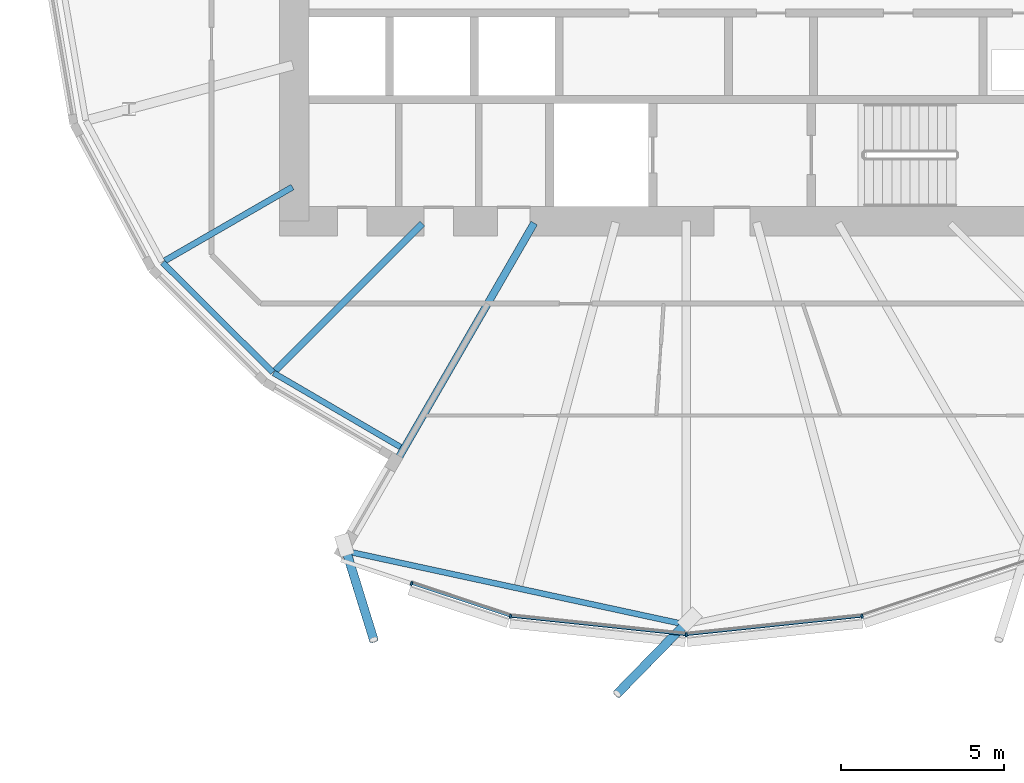
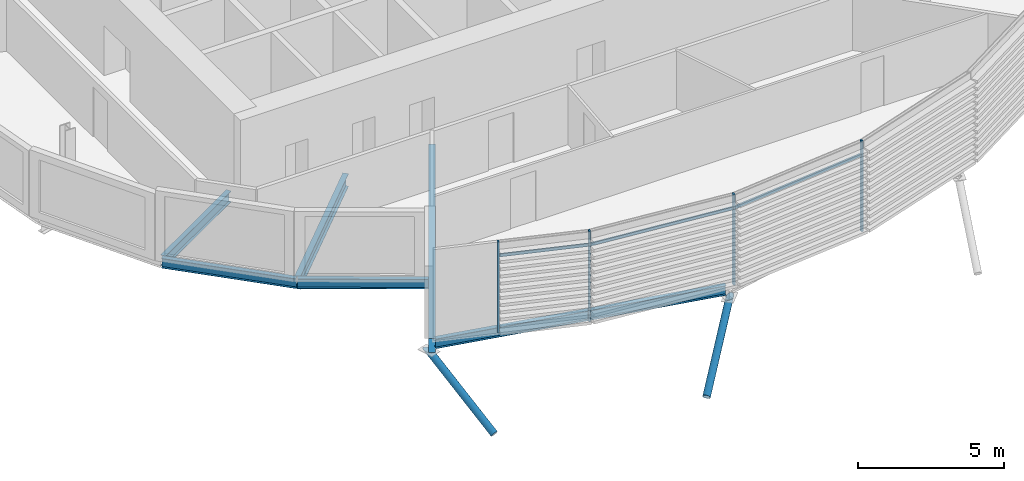
# One storey, part 3 of 37: 9 members, 6 beams, 1 element without a shape of its own.
"""IFC4 building model written with IfcOpenShell, lengths in metres."""

from ifc_helpers import new_model, si_unit, direction, frame, origin, origin_2d, place, context, subcontext, project, spatial, rectangle, hollow_circle, i_section, extrude, clip, halfspace, material, material_profile, profile_set, type_object, element, aggregate, save


model = new_model("IFC4")

# Units and contexts
model_context = context("Model", 3, precision=1e-05, world=origin(), true_north=direction((0.0, 1.0)))
body_context = subcontext(model_context, "Body", "Model", "MODEL_VIEW")
ifc_project = project(units=[si_unit("LENGTHUNIT", "METRE"), si_unit("AREAUNIT", "SQUARE_METRE"), si_unit("VOLUMEUNIT", "CUBIC_METRE"), si_unit("PLANEANGLEUNIT", "RADIAN"), si_unit("MASSUNIT", "GRAM", prefix="KILO")], contexts=[model_context])

# Site, building, storey
site_placement = place(None, origin())
site = spatial("IfcSite", under=ifc_project, at=site_placement, CompositionType="ELEMENT")
building_placement = place(site_placement, origin())
building = spatial("IfcBuilding", under=site, at=building_placement, Name="Rimbun Link Towers", CompositionType="ELEMENT")
storey_placement = place(building_placement, frame((0.0, 0.0, 60.39990234375)))
storey = spatial("IfcBuildingStorey", under=building, at=storey_placement, Name="L14", CompositionType="ELEMENT", Elevation=60.39990234375)

# Curtain wall, members
ifc_material_1 = material(Name="Aluminium 6063-T6 and low-iron glass", Category="aluminium")
curtain_wall_type = type_object("IfcCurtainWallType", Name="CW1 unitised vision wall", PredefinedType="NOTDEFINED", material=ifc_material_1)
curtain_wall_placement = place(storey_placement, origin())
curtain_wall = element("IfcCurtainWall", 1, at=curtain_wall_placement, inside=storey, type_object=curtain_wall_type, Name="CW1 L14 T1", PredefinedType="NOTDEFINED")
ifc_material_2 = material(Name="Aluminium 6063-T6", Category="aluminium")
ifc_material_profile_1 = material_profile(ifc_material_2, rectangle(XDim=0.1201171875, YDim=0.06005859375, at=origin_2d()), Name="MULLION 60X120")
ifc_profile_set_1 = profile_set([ifc_material_profile_1], Name="Aluminium 6063-T6")
member_type_1 = type_object("IfcMemberType", Name="CW1 mullion 60X120", PredefinedType="MULLION", material=ifc_profile_set_1)
member_1_placement = place(storey_placement, frame((-37.130615234375, -20.09228515625, 0.0), z_axis=(0.0, 0.0, 1.0), x_axis=(-0.210873842747, -0.977513285048, 0.0)))
member_1 = element("IfcMember", 2, at=member_1_placement, type_object=member_type_1, Name="CW1 mullion", PredefinedType="MULLION", context=body_context, shape_type="SweptSolid", body=[
    extrude(rectangle(XDim=0.1201171875, YDim=0.06005859375, at=origin_2d()), origin(), (0.0, 0.0, 1.0), 3.800048828125),
])
member_2_placement = place(storey_placement, frame((-40.15673828125, -19.08984375, 0.0), z_axis=(0.0, 0.0, 1.0), x_axis=(-0.314563424855, -0.949236457235, 0.0)))
member_2 = element("IfcMember", 3, at=member_2_placement, type_object=member_type_1, Name="CW1 mullion", PredefinedType="MULLION", context=body_context, shape_type="SweptSolid", body=[
    extrude(rectangle(XDim=0.1201171875, YDim=0.06005859375, at=origin_2d()), origin(), (0.0, 0.0, 1.0), 3.800048828125),
])
member_3_placement = place(storey_placement, frame((-31.75, -20.6591796875, 0.0), z_axis=(0.0, 0.0, 1.0), x_axis=(0.0, -1.0, 0.0)))
member_3 = element("IfcMember", 4, at=member_3_placement, type_object=member_type_1, Name="CW1 mullion", PredefinedType="MULLION", context=body_context, shape_type="SweptSolid", body=[
    extrude(rectangle(XDim=0.1201171875, YDim=0.06005859375, at=origin_2d()), origin(), (0.0, 0.0, 1.0), 3.800048828125),
])
member_4_placement = place(storey_placement, frame((-26.369384765625, -20.09228515625, 0.0), z_axis=(0.0, 0.0, 1.0), x_axis=(0.210873842747, -0.977513285048, 0.0)))
member_4 = element("IfcMember", 5, at=member_4_placement, type_object=member_type_1, Name="CW1 mullion", PredefinedType="MULLION", context=body_context, shape_type="SweptSolid", body=[
    extrude(rectangle(XDim=0.1201171875, YDim=0.06005859375, at=origin_2d()), origin(), (0.0, 0.0, 1.0), 3.800048828125),
])
ifc_material_3 = material(Name="Aluminium 6063-T6", Category="aluminium")
ifc_material_profile_2 = material_profile(ifc_material_3, rectangle(XDim=0.06005859375, YDim=0.1201171875, at=origin_2d()), Name="TRANSOM 60X120")
ifc_profile_set_2 = profile_set([ifc_material_profile_2], Name="Aluminium 6063-T6")
member_type_2 = type_object("IfcMemberType", Name="CW1 transom 60X120", PredefinedType="USERDEFINED", material=ifc_profile_set_2)
member_5_placement = place(storey_placement, frame((-37.164794921875, -20.079345703125, 3.2001953125), z_axis=(-0.949221646729, 0.31460811398, 0.0), x_axis=(-0.31460811398, -0.949221646729, 0.0)))
member_5 = element("IfcMember", 6, at=member_5_placement, type_object=member_type_2, Name="CW1 transom", ObjectType="TRANSOM", PredefinedType="USERDEFINED", context=body_context, shape_type="SweptSolid", body=[
    extrude(rectangle(XDim=0.06005859375, YDim=0.1201171875, at=origin_2d()), origin(), (0.0, 0.0, 1.0), 3.12109375),
])
member_6_placement = place(storey_placement, frame((-31.785888671875, -20.653564453125, 3.2001953125), z_axis=(-0.99449943631, 0.104741926558, 0.0), x_axis=(-0.104741926558, -0.99449943631, 0.0)))
member_6 = element("IfcMember", 7, at=member_6_placement, type_object=member_type_2, Name="CW1 transom", ObjectType="TRANSOM", PredefinedType="USERDEFINED", context=body_context, shape_type="SweptSolid", body=[
    extrude(rectangle(XDim=0.06005859375, YDim=0.1201171875, at=origin_2d()), origin(), (0.0, 0.0, 1.0), 5.337646484375),
])
member_7_placement = place(storey_placement, frame((-26.40576171875, -20.094482421875, 3.2001953125), z_axis=(-0.99449943631, -0.104741926558, 0.0), x_axis=(0.104741926558, -0.99449943631, 0.0)))
member_7 = element("IfcMember", 8, at=member_7_placement, type_object=member_type_2, Name="CW1 transom", ObjectType="TRANSOM", PredefinedType="USERDEFINED", context=body_context, shape_type="SweptSolid", body=[
    extrude(rectangle(XDim=0.06005859375, YDim=0.1201171875, at=origin_2d()), origin(), (0.0, 0.0, 1.0), 5.337646484375),
])
aggregate(curtain_wall, [member_1, member_2, member_3, member_4, member_5, member_6, member_7])

# Members
ifc_material_4 = material(Name="Steel S355J2H", Category="steel")
ifc_material_profile_3 = material_profile(ifc_material_4, hollow_circle(Radius=0.136474609375, WallThickness=0.012451171875, at=origin_2d()), Name="CHS 273x12.5")
ifc_profile_set_3 = profile_set([ifc_material_profile_3], Name="Steel S355J2H")
member_type_3 = type_object("IfcMemberType", Name="Floor edge link CHS 273x12.5", PredefinedType="BRACE", material=ifc_profile_set_3)
member_8_placement = place(storey_placement, frame((-42.16845703125, -18.045166015625, -0.876220703125), z_axis=(0.246180262262, -0.795168546856, -0.554168079706), x_axis=(0.955266660557, 0.295745849047, 0.0)))
element("IfcMember", 9, at=member_8_placement, inside=storey, type_object=member_type_3, Name="Floor edge link T1 L14 16", PredefinedType="BRACE", context=body_context, shape_type="Clipping", body=[
    clip(extrude(hollow_circle(Radius=0.136474609375, WallThickness=0.012451171875, at=origin_2d()), frame((0.0, 0.0, -0.427978515625)), (0.0, 0.0, 1.0), 3.916015625), halfspace(frame((0.0, 0.0, -0.20166015625), z_axis=(0.0, 0.832404793016, -0.554168079706)), False)),
])
member_9_placement = place(storey_placement, frame((-31.75, -20.297607421875, -0.959228515625), z_axis=(-0.591983223864, -0.605956345441, -0.53138758932), x_axis=(0.715306024786, -0.698811341425, 0.0)))
element("IfcMember", 10, at=member_9_placement, inside=storey, type_object=member_type_3, Name="Floor edge link T1 L14 18", PredefinedType="BRACE", context=body_context, shape_type="Clipping", body=[
    clip(extrude(hollow_circle(Radius=0.136474609375, WallThickness=0.012451171875, at=origin_2d()), frame((0.0, 0.0, -0.4541015625)), (0.0, 0.0, 1.0), 4.035888671875), halfspace(frame((0.0, 0.0, -0.214111328125), z_axis=(0.0, 0.847128815421, -0.53138758932)), False)),
])

# Beams
ifc_material_5 = material(Name="Steel S355J2", Category="steel")
ifc_material_profile_4 = material_profile(ifc_material_5, i_section(OverallWidth=0.177978515625, OverallDepth=0.406494140625, WebThickness=0.0078125, FlangeThickness=0.0126953125, at=origin_2d()), Name="UB 406x178x60")
ifc_profile_set_4 = profile_set([ifc_material_profile_4], Name="Steel S355J2")
beam_type_1 = type_object("IfcBeamType", Name="UB 406x178x60", PredefinedType="BEAM", material=ifc_profile_set_4)
beam_1_placement = place(storey_placement, frame((-47.771728515625, -9.265869140625, -0.363037109375), z_axis=(0.708488894937, -0.705721960655, 0.0), x_axis=(0.705721960655, 0.708488894937, 0.0)))
element("IfcBeam", 11, at=beam_1_placement, inside=storey, type_object=beam_type_1, Name="Edge beam T1 L14 14 recess", PredefinedType="BEAM", context=body_context, shape_type="SweptSolid", body=[
    extrude(i_section(OverallWidth=0.177978515625, OverallDepth=0.406494140625, WebThickness=0.0078125, FlangeThickness=0.0126953125, at=origin_2d()), origin(), (0.0, 0.0, 1.0), 4.7646484375),
])
beam_2_placement = place(storey_placement, frame((-44.376708984375, -12.6435546875, -0.363037109375), z_axis=(0.86353863643, -0.504282682028, 0.0), x_axis=(0.504282682028, 0.86353863643, 0.0)))
element("IfcBeam", 12, at=beam_2_placement, inside=storey, type_object=beam_type_1, Name="Edge beam T1 L14 15 recess", PredefinedType="BEAM", context=body_context, shape_type="SweptSolid", body=[
    extrude(i_section(OverallWidth=0.177978515625, OverallDepth=0.406494140625, WebThickness=0.0078125, FlangeThickness=0.0126953125, at=origin_2d()), origin(), (0.0, 0.0, 1.0), 4.498046875),
])
beam_3_placement = place(storey_placement, frame((-42.07568359375, -18.114013671875, -0.363037109375), z_axis=(0.977392737339, -0.21143187318, 0.0), x_axis=(0.21143187318, 0.977392737339, 0.0)))
element("IfcBeam", 13, at=beam_3_placement, inside=storey, type_object=beam_type_1, Name="Edge beam T1 L14 16-18", PredefinedType="BEAM", context=body_context, shape_type="SweptSolid", body=[
    extrude(i_section(OverallWidth=0.177978515625, OverallDepth=0.406494140625, WebThickness=0.0078125, FlangeThickness=0.0126953125, at=origin_2d()), origin(), (0.0, 0.0, 1.0), 10.433837890625),
])
ifc_material_6 = material(Name="Steel S355J2", Category="steel")
ifc_material_profile_5 = material_profile(ifc_material_6, i_section(OverallWidth=0.18994140625, OverallDepth=0.453369140625, WebThickness=0.008544921875, FlangeThickness=0.0126953125, at=origin_2d()), Name="UB 457x191x67")
ifc_profile_set_5 = profile_set([ifc_material_profile_5], Name="Steel S355J2")
beam_type_2 = type_object("IfcBeamType", Name="UB 457x191x67", PredefinedType="BEAM", material=ifc_profile_set_5)
beam_4_placement = place(storey_placement, frame((-43.79833984375, -6.9560546875, -0.38671875), z_axis=(-0.866005244555, -0.500034915185, 0.0), x_axis=(0.500034915185, -0.866005244555, 0.0)))
element("IfcBeam", 14, at=beam_4_placement, inside=storey, type_object=beam_type_2, Name="Radial beam T1 L14 14", PredefinedType="BEAM", context=body_context, shape_type="SweptSolid", body=[
    extrude(i_section(OverallWidth=0.18994140625, OverallDepth=0.453369140625, WebThickness=0.008544921875, FlangeThickness=0.0126953125, at=origin_2d()), origin(), (0.0, 0.0, 1.0), 4.509033203125),
])
ifc_material_7 = material(Name="Steel S355J2", Category="steel")
ifc_material_profile_6 = material_profile(ifc_material_7, i_section(OverallWidth=0.209228515625, OverallDepth=0.533203125, WebThickness=0.010009765625, FlangeThickness=0.015625, at=origin_2d()), Name="UB 533x210x92")
ifc_profile_set_6 = profile_set([ifc_material_profile_6], Name="Steel S355J2")
beam_type_3 = type_object("IfcBeamType", Name="UB 533x210x92", PredefinedType="BEAM", material=ifc_profile_set_6)
beam_5_placement = place(storey_placement, frame((-39.82470703125, -8.07470703125, -0.426513671875), z_axis=(-0.707106781187, -0.707106781187, 0.0), x_axis=(0.707106781187, -0.707106781187, 0.0)))
element("IfcBeam", 15, at=beam_5_placement, inside=storey, type_object=beam_type_3, Name="Radial beam T1 L14 15", PredefinedType="BEAM", context=body_context, shape_type="SweptSolid", body=[
    extrude(i_section(OverallWidth=0.209228515625, OverallDepth=0.533203125, WebThickness=0.010009765625, FlangeThickness=0.015625, at=origin_2d()), origin(), (0.0, 0.0, 1.0), 6.36181640625),
])
ifc_material_8 = material(Name="Steel S355J2", Category="steel")
ifc_material_profile_7 = material_profile(ifc_material_8, i_section(OverallWidth=0.2275390625, OverallDepth=0.6025390625, WebThickness=0.010498046875, FlangeThickness=0.014892578125, at=origin_2d()), Name="UB 610x229x101")
ifc_profile_set_7 = profile_set([ifc_material_profile_7], Name="Steel S355J2")
beam_type_4 = type_object("IfcBeamType", Name="UB 610x229x101", PredefinedType="BEAM", material=ifc_profile_set_7)
beam_6_placement = place(storey_placement, frame((-36.402099609375, -8.057861328125, -0.461181640625), z_axis=(-0.500008919292, -0.866020254168, 0.0), x_axis=(0.866020254168, -0.500008919292, 0.0)))
element("IfcBeam", 16, at=beam_6_placement, inside=storey, type_object=beam_type_4, Name="Radial beam T1 L14 16", PredefinedType="BEAM", context=body_context, shape_type="SweptSolid", body=[
    extrude(i_section(OverallWidth=0.2275390625, OverallDepth=0.6025390625, WebThickness=0.010498046875, FlangeThickness=0.014892578125, at=origin_2d()), origin(), (0.0, 0.0, 1.0), 11.582275390625),
])

save(model, "model.ifc")
